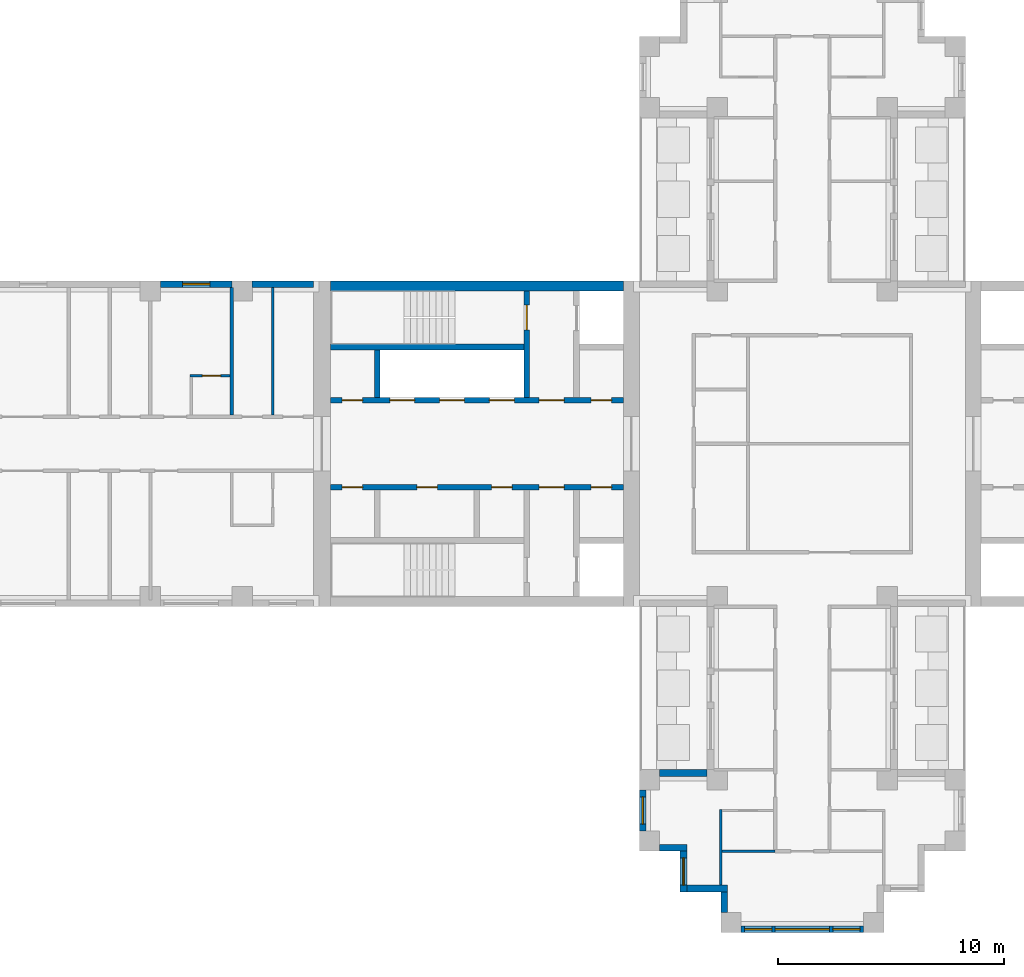
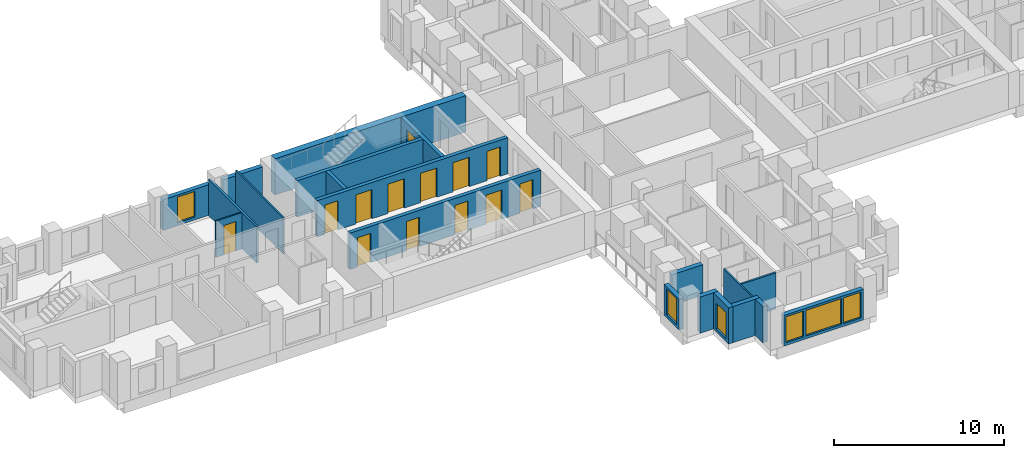
# One storey, part 4 of 12: 20 walls, 13 doors, 6 windows, 19 openings.
"""IFC4 building model written with IfcOpenShell, lengths in metres."""

import ifcopenshell
import ifcopenshell.guid

model = None  # the IFC model being written
_history = None  # IfcOwnerHistory: only IFC2X3 demands one
_inside = {}  # id of a spatial element -> (the spatial element, [elements in it])
_under = {}  # id of a project, library or spatial element -> (it, [spatial elements below it])
_declared = {}  # id of a project -> (the project, [libraries it declares])
_typed = {}  # id of a type object -> (the type object, [elements of that type])
_made_of = {}  # id of a material, layer set ... -> (it, [elements and type objects made of it])


def new_model(schema):
    """Start an empty IFC model of exactly this schema.

    Asked for "IFC4X3", IfcOpenShell would pick the latest addendum, in which some entities
    have other attributes; the version numbers below select the first issue.
    IFC2X3 requires an IfcOwnerHistory on every rooted entity: one is made here for all.
    """
    global model, _history
    if schema == "IFC4X3":
        model = ifcopenshell.file(schema_version=(4, 3, 0, 0))
    else:
        model = ifcopenshell.file(schema=schema)
    _inside.clear()
    _under.clear()
    _declared.clear()
    _typed.clear()
    _made_of.clear()
    _history = None
    if model.schema == "IFC2X3":
        org = make("IfcOrganization", Name="unknown")
        user = make(
            "IfcPersonAndOrganization",
            ThePerson=make("IfcPerson", FamilyName="unknown"),
            TheOrganization=org,
        )
        app = make(
            "IfcApplication",
            ApplicationDeveloper=org,
            Version="unknown",
            ApplicationFullName="unknown",
            ApplicationIdentifier="unknown",
        )
        _history = make(
            "IfcOwnerHistory",
            OwningUser=user,
            OwningApplication=app,
            ChangeAction="ADDED",
            CreationDate=0,
        )
    return model


def make(cls, **values):
    """One entity of the class cls with the attributes given. An attribute that is None is left unset."""
    return model.create_entity(
        cls, **{name: value for name, value in values.items() if value is not None}
    )


def rooted(cls, **values):
    """An entity with a GlobalId (a new one), such as an element, a storey or a relation."""
    return make(cls, GlobalId=ifcopenshell.guid.new(), OwnerHistory=_history, **values)


def si_unit(unit_type, name, prefix=None):
    """IfcSIUnit, for example si_unit("LENGTHUNIT", "METRE", prefix="MILLI")."""
    return make("IfcSIUnit", UnitType=unit_type, Prefix=prefix, Name=name)


def assignment(units):
    """IfcUnitAssignment: the units of a project."""
    return None if units is None else make("IfcUnitAssignment", Units=units)


def point(xyz):
    """IfcCartesianPoint."""
    return None if xyz is None else make("IfcCartesianPoint", Coordinates=xyz)


def direction(xyz):
    """IfcDirection."""
    return None if xyz is None else make("IfcDirection", DirectionRatios=xyz)


def frame(location, z_axis=None, x_axis=None):
    """IfcAxis2Placement3D, a coordinate frame: its origin and axes. An axis left out is left unset."""
    return make(
        "IfcAxis2Placement3D",
        Location=point(location),
        Axis=direction(z_axis),
        RefDirection=direction(x_axis),
    )


def frame_2d(location, x_axis=None):
    """IfcAxis2Placement2D, a coordinate frame in the plane: its origin and x axis."""
    return make(
        "IfcAxis2Placement2D", Location=point(location), RefDirection=direction(x_axis)
    )


def origin():
    """The frame at (0, 0, 0) with its axes left unset."""
    return frame((0.0, 0.0, 0.0))


def place(relative_to, where):
    """IfcLocalPlacement: puts the frame where relative to a parent placement (None: the world)."""
    return make(
        "IfcLocalPlacement", PlacementRelTo=relative_to, RelativePlacement=where
    )


def context(
    kind, dimensions, precision=None, world=None, true_north=None, identifier=None
):
    """IfcGeometricRepresentationContext, for example the 3D "Model" context."""
    return make(
        "IfcGeometricRepresentationContext",
        ContextIdentifier=identifier,
        ContextType=kind,
        CoordinateSpaceDimension=dimensions,
        Precision=precision,
        WorldCoordinateSystem=world,
        TrueNorth=true_north,
    )


def subcontext(parent, identifier, kind, view, scale=None):
    """IfcGeometricRepresentationSubContext, for example "Body" below "Model"."""
    return make(
        "IfcGeometricRepresentationSubContext",
        ContextIdentifier=identifier,
        ContextType=kind,
        ParentContext=parent,
        TargetScale=scale,
        TargetView=view,
    )


def project(units=None, contexts=None):
    """IfcProject with its units and contexts."""
    return rooted(
        "IfcProject",
        Name="project",
        RepresentationContexts=contexts,
        UnitsInContext=assignment(units),
    )


def spatial(cls, under=None, at=None, **own):
    """A site, building, storey or space (cls), placed at a placement, below another one or the project."""
    s = rooted(cls, ObjectPlacement=at, **own)
    if under is not None:
        _under.setdefault(under.id(), (under, []))[1].append(s)
    return s


def profile(cls, at=None, kind="AREA", **sizes):
    """A parametric profile (cls). Its sizes go by their IFC names, for example OverallWidth=200.0."""
    return make(cls, ProfileType=kind, Position=at, **sizes)


def rectangle(**sizes):
    """IfcRectangleProfileDef."""
    return profile("IfcRectangleProfileDef", **sizes)


def extrude(swept, where, along, depth):
    """IfcExtrudedAreaSolid: the profile swept, set in the frame where, extruded along a direction by depth."""
    return make(
        "IfcExtrudedAreaSolid",
        SweptArea=swept,
        Position=where,
        ExtrudedDirection=direction(along),
        Depth=depth,
    )


def shape(context_of_items, identifier, shape_type, items):
    """IfcShapeRepresentation: the items that make up one representation, for example the "Body"."""
    return make(
        "IfcShapeRepresentation",
        ContextOfItems=context_of_items,
        RepresentationIdentifier=identifier,
        RepresentationType=shape_type,
        Items=items,
    )


def material(Name=None, Category=None):
    """IfcMaterial."""
    return make("IfcMaterial", Name=Name, Category=Category)


def layer(
    of_material, thickness, ventilated=None, Name=None, Category=None, Priority=None
):
    """IfcMaterialLayer: one layer of a wall or slab, of a material (None: an air gap)."""
    return make(
        "IfcMaterialLayer",
        Material=of_material,
        LayerThickness=thickness,
        IsVentilated=ventilated,
        Name=Name,
        Category=Category,
        Priority=Priority,
    )


def layer_set(layers, Name=None):
    """IfcMaterialLayerSet."""
    return make("IfcMaterialLayerSet", MaterialLayers=layers, LayerSetName=Name)


def made_of(thing, what):
    """Note that an element or type object is made of a material, layer set ...; save() writes the relation."""
    if what is not None:
        _made_of.setdefault(what.id(), (what, []))[1].append(thing)
    return thing


def type_object(cls, material=None, **own):
    """A type object (cls), such as IfcWallType, which elements share."""
    return made_of(rooted(cls, **own), material)


def element(
    cls,
    number,
    at=None,
    inside=None,
    cuts=None,
    type_object=None,
    material=None,
    context=None,
    identifier="Body",
    shape_type=None,
    held_by="IfcProductDefinitionShape",
    body=None,
    shapes=None,
    **own,
):
    """One element of the class cls, such as IfcWall. Its Tag is "e" and its number.

    at: its placement. inside: the storey or other place that contains it. cuts: it is an
    opening in that element (IfcRelVoidsElement). A single representation is given by context,
    identifier, shape_type and body (its items); several are given by shapes. held_by: the class
    of the entity that holds the representations. save() writes the other relations.
    """
    e = rooted(cls, Tag="e%d" % number, ObjectPlacement=at, **own)
    if body is not None:
        shapes = [shape(context, identifier, shape_type, body)]
    if shapes is not None:
        e.Representation = make(held_by, Representations=shapes)
    if inside is not None:
        _inside.setdefault(inside.id(), (inside, []))[1].append(e)
    if cuts is not None:
        rooted(
            "IfcRelVoidsElement", RelatingBuildingElement=cuts, RelatedOpeningElement=e
        )
    if type_object is not None:
        _typed.setdefault(type_object.id(), (type_object, []))[1].append(e)
    return made_of(e, material)


def fill(opening, filler):
    """IfcRelFillsElement: the door or window that sits in an opening."""
    return rooted(
        "IfcRelFillsElement",
        RelatingOpeningElement=opening,
        RelatedBuildingElement=filler,
    )


def aggregate(whole, parts):
    """IfcRelAggregates: a whole, such as a stair, and the parts it consists of."""
    return rooted("IfcRelAggregates", RelatingObject=whole, RelatedObjects=parts)


def save(model, path):
    """Write the relations noted so far, then the file.

    IfcRelAggregates (storeys below a building ...), IfcRelContainedInSpatialStructure (elements
    in a storey), IfcRelDefinesByType, IfcRelAssociatesMaterial and IfcRelDeclares: one each for
    every whole, place, type object, material and project.
    """
    for whole, parts in _under.values():
        aggregate(whole, parts)
    for where, things in _inside.values():
        rooted(
            "IfcRelContainedInSpatialStructure",
            RelatedElements=things,
            RelatingStructure=where,
        )
    for kind, things in _typed.values():
        rooted("IfcRelDefinesByType", RelatedObjects=things, RelatingType=kind)
    for what, things in _made_of.values():
        rooted("IfcRelAssociatesMaterial", RelatedObjects=things, RelatingMaterial=what)
    for by, libraries in _declared.values():
        rooted("IfcRelDeclares", RelatingContext=by, RelatedDefinitions=libraries)
    model.write(path)


model = new_model("IFC4")

# Units and contexts
model_context = context("Model", 3, precision=1e-05, world=origin(), true_north=direction((0.0, 1.0)))
body_context = subcontext(model_context, "Body", "Model", "MODEL_VIEW")
ifc_project = project(units=[si_unit("LENGTHUNIT", "METRE"), si_unit("AREAUNIT", "SQUARE_METRE"), si_unit("VOLUMEUNIT", "CUBIC_METRE"), si_unit("PLANEANGLEUNIT", "RADIAN"), si_unit("MASSUNIT", "GRAM", prefix="KILO")], contexts=[model_context])

# Site, building, storey
site_placement = place(None, origin())
site = spatial("IfcSite", under=ifc_project, at=site_placement, CompositionType="ELEMENT")
building_placement = place(site_placement, origin())
building = spatial("IfcBuilding", under=site, at=building_placement, Name="Fustian Cross Tower", CompositionType="ELEMENT")
storey_placement = place(building_placement, frame((0.0, 0.0, 150.300048828125)))
storey = spatial("IfcBuildingStorey", under=building, at=storey_placement, Name="L47", CompositionType="ELEMENT", Elevation=150.300048828125)

# Walls
ifc_material_1 = material(Name="Plasterboard on steel stud", Category="steel")
ifc_layer_1 = layer(ifc_material_1, 0.14990234375)
ifc_layer_set_1 = layer_set([ifc_layer_1], Name="Plasterboard on steel stud")
wall_type_1 = type_object("IfcWallType", Name="COMPARTMENT WALL 150 EI 60", PredefinedType="PARTITIONING", material=ifc_layer_set_1)
wall_1_placement = place(storey_placement, frame((-25.199951171875, 1.27490234375, 0.0), z_axis=(0.0, 0.0, 1.0), x_axis=(0.0, 1.0, 0.0)))
element("IfcWall", 1, at=wall_1_placement, inside=storey, type_object=wall_type_1, Name="Partition 13", PredefinedType="PARTITIONING", context=body_context, shape_type="SweptSolid", body=[
    extrude(rectangle(XDim=5.625, YDim=0.14990234375, at=frame_2d((2.8125, 0.0))), origin(), (0.0, 0.0, 1.0), 2.599853515625),
])
ifc_material_2 = material(Name="Concrete C60/75", Category="concrete")
ifc_layer_2 = layer(ifc_material_2, 0.449951171875)
ifc_layer_set_2 = layer_set([ifc_layer_2], Name="Concrete C60/75")
wall_type_2 = type_object("IfcWallType", Name="CORE FACADE WALL 450 C60/75", PredefinedType="SHEAR", material=ifc_layer_set_2)
wall_2_placement = place(storey_placement, frame((-7.89990234375, 6.97509765625, 0.0), z_axis=(0.0, 0.0, 1.0), x_axis=(-1.0, 0.0, 0.0)))
element("IfcWall", 2, at=wall_2_placement, inside=storey, type_object=wall_type_2, Name="Core facade wall", PredefinedType="SHEAR", context=body_context, shape_type="SweptSolid", body=[
    extrude(rectangle(XDim=12.9501953125, YDim=0.449951171875, at=frame_2d((6.47509765625, 0.0))), origin(), (0.0, 0.0, 1.0), 2.599853515625),
])

# Wall, openings, doors
ifc_material_3 = material(Name="Concrete C50/60", Category="concrete")
ifc_layer_3 = layer(ifc_material_3, 0.25)
ifc_layer_set_3 = layer_set([ifc_layer_3], Name="Concrete C50/60")
wall_type_3 = type_object("IfcWallType", Name="CORE LOBBY WALL 250 C50/60", PredefinedType="SHEAR", material=ifc_layer_set_3)
wall_3_placement = place(storey_placement, frame((-7.89990234375, 1.925048828125, 0.0), z_axis=(0.0, 0.0, 1.0), x_axis=(-1.0, 0.0, 0.0)))
wall_3 = element("IfcWall", 3, at=wall_3_placement, inside=storey, type_object=wall_type_3, Name="Core lobby wall", PredefinedType="SHEAR", context=body_context, shape_type="SweptSolid", body=[
    extrude(rectangle(XDim=12.9501953125, YDim=0.25, at=frame_2d((6.47509765625, 0.0))), origin(), (0.0, 0.0, 1.0), 2.599853515625),
])
opening_1_placement = place(wall_3_placement, frame((4.824951171875, 0.0, 0.0)))
opening_1 = element("IfcOpeningElement", 4, at=opening_1_placement, cuts=wall_3, Name="Opening LD", PredefinedType="OPENING", context=body_context, shape_type="SweptSolid", body=[
    extrude(rectangle(XDim=1.10009765625, YDim=2.10009765625, at=frame_2d((0.550048828125, 1.050048828125))), frame((0.0, 0.135009765625, 0.0), z_axis=(0.0, -1.0, 0.0), x_axis=(1.0, 0.0, 0.0)), (0.0, 0.0, 1.0), 0.27001953125),
])
opening_2_placement = place(wall_3_placement, frame((7.02490234375, 0.0, 0.0)))
opening_2 = element("IfcOpeningElement", 5, at=opening_2_placement, cuts=wall_3, Name="Opening LD", PredefinedType="OPENING", context=body_context, shape_type="SweptSolid", body=[
    extrude(rectangle(XDim=1.10009765625, YDim=2.10009765625, at=frame_2d((0.550048828125, 1.050048828125))), frame((0.0, 0.135009765625, 0.0), z_axis=(0.0, -1.0, 0.0), x_axis=(1.0, 0.0, 0.0)), (0.0, 0.0, 1.0), 0.27001953125),
])
opening_3_placement = place(wall_3_placement, frame((9.22509765625, 0.0, 0.0)))
opening_3 = element("IfcOpeningElement", 6, at=opening_3_placement, cuts=wall_3, Name="Opening LD", PredefinedType="OPENING", context=body_context, shape_type="SweptSolid", body=[
    extrude(rectangle(XDim=1.10009765625, YDim=2.10009765625, at=frame_2d((0.550048828125, 1.050048828125))), frame((0.0, 0.135009765625, 0.0), z_axis=(0.0, -1.0, 0.0), x_axis=(1.0, 0.0, 0.0)), (0.0, 0.0, 1.0), 0.27001953125),
])
opening_4_placement = place(wall_3_placement, frame((0.52490234375, 0.0, 0.0)))
opening_4 = element("IfcOpeningElement", 7, at=opening_4_placement, cuts=wall_3, Name="Opening CD-16-25", PredefinedType="OPENING", context=body_context, shape_type="SweptSolid", body=[
    extrude(rectangle(XDim=0.89990234375, YDim=2.10009765625, at=frame_2d((0.449951171875, 1.050048828125))), frame((0.0, 0.135009765625, 0.0), z_axis=(0.0, -1.0, 0.0), x_axis=(1.0, 0.0, 0.0)), (0.0, 0.0, 1.0), 0.27001953125),
])
opening_5_placement = place(wall_3_placement, frame((2.625, 0.0, 0.0)))
opening_5 = element("IfcOpeningElement", 8, at=opening_5_placement, cuts=wall_3, Name="Opening CD-16-27", PredefinedType="OPENING", context=body_context, shape_type="SweptSolid", body=[
    extrude(rectangle(XDim=1.10009765625, YDim=2.10009765625, at=frame_2d((0.550048828125, 1.050048828125))), frame((0.0, 0.135009765625, 0.0), z_axis=(0.0, -1.0, 0.0), x_axis=(1.0, 0.0, 0.0)), (0.0, 0.0, 1.0), 0.27001953125),
])
opening_6_placement = place(wall_3_placement, frame((11.52490234375, 0.0, 0.0)))
opening_6 = element("IfcOpeningElement", 9, at=opening_6_placement, cuts=wall_3, Name="Opening CD-16-31", PredefinedType="OPENING", context=body_context, shape_type="SweptSolid", body=[
    extrude(rectangle(XDim=0.89990234375, YDim=2.10009765625, at=frame_2d((0.449951171875, 1.050048828125))), frame((0.0, 0.135009765625, 0.0), z_axis=(0.0, -1.0, 0.0), x_axis=(1.0, 0.0, 0.0)), (0.0, 0.0, 1.0), 0.27001953125),
])
ifc_material_4 = material(Name="Steel", Category="steel")
door_type_1 = type_object("IfcDoorType", Name="FIRE DOOR FD30S 900X2100", OperationType="SINGLE_SWING_LEFT", PredefinedType="DOOR", material=ifc_material_4)
door_1_placement = place(opening_6_placement, frame((0.89990234375, 0.0, 0.0), z_axis=(0.0, 0.0, 1.0), x_axis=(-1.0, 0.0, 0.0)))
door_1 = element("IfcDoor", 10, at=door_1_placement, inside=storey, type_object=door_type_1, Name="Core door CD-16-31", OperationType="SINGLE_SWING_RIGHT", OverallHeight=2.10009765625, OverallWidth=0.89990234375, PredefinedType="DOOR", context=body_context, shape_type="SweptSolid", body=[
    extrude(rectangle(XDim=0.89990234375, YDim=2.10009765625, at=frame_2d((0.449951171875, 1.050048828125))), frame((0.0, 0.02490234375, 0.0), z_axis=(0.0, -1.0, 0.0), x_axis=(1.0, 0.0, 0.0)), (0.0, 0.0, 1.0), 0.050048828125),
])
fill(opening_6, door_1)
ifc_material_5 = material(Name="Steel", Category="steel")
door_type_2 = type_object("IfcDoorType", Name="FIRE DOOR FD60S 1100X2100", OperationType="SINGLE_SWING_LEFT", PredefinedType="DOOR", material=ifc_material_5)
door_2_placement = place(opening_5_placement, frame((1.10009765625, 0.0, 0.0), z_axis=(0.0, 0.0, 1.0), x_axis=(-1.0, 0.0, 0.0)))
door_2 = element("IfcDoor", 11, at=door_2_placement, inside=storey, type_object=door_type_2, Name="Core door CD-16-27", OperationType="SINGLE_SWING_RIGHT", OverallHeight=2.10009765625, OverallWidth=1.10009765625, PredefinedType="DOOR", context=body_context, shape_type="SweptSolid", body=[
    extrude(rectangle(XDim=1.10009765625, YDim=2.10009765625, at=frame_2d((0.550048828125, 1.050048828125))), frame((0.0, 0.02490234375, 0.0), z_axis=(0.0, -1.0, 0.0), x_axis=(1.0, 0.0, 0.0)), (0.0, 0.0, 1.0), 0.050048828125),
])
fill(opening_5, door_2)
ifc_material_6 = material(Name="Steel", Category="steel")
door_type_3 = type_object("IfcDoorType", Name="FIRE DOOR FD60S 900X2100", OperationType="SINGLE_SWING_LEFT", PredefinedType="DOOR", material=ifc_material_6)
door_3_placement = place(opening_4_placement, frame((0.89990234375, 0.0, 0.0), z_axis=(0.0, 0.0, 1.0), x_axis=(-1.0, 0.0, 0.0)))
door_3 = element("IfcDoor", 12, at=door_3_placement, inside=storey, type_object=door_type_3, Name="Core door CD-16-25", OperationType="SINGLE_SWING_RIGHT", OverallHeight=2.10009765625, OverallWidth=0.89990234375, PredefinedType="DOOR", context=body_context, shape_type="SweptSolid", body=[
    extrude(rectangle(XDim=0.89990234375, YDim=2.10009765625, at=frame_2d((0.449951171875, 1.050048828125))), frame((0.0, 0.02490234375, 0.0), z_axis=(0.0, -1.0, 0.0), x_axis=(1.0, 0.0, 0.0)), (0.0, 0.0, 1.0), 0.050048828125),
])
fill(opening_4, door_3)
ifc_material_7 = material(Name="Stainless steel", Category="steel")
door_type_4 = type_object("IfcDoorType", Name="LIFT LANDING DOOR 1100X2100", OperationType="SLIDING_TO_LEFT", PredefinedType="DOOR", material=ifc_material_7)
door_4_placement = place(opening_1_placement, origin())
door_4 = element("IfcDoor", 13, at=door_4_placement, inside=storey, type_object=door_type_4, Name="Landing door HR1W", OperationType="SLIDING_TO_LEFT", OverallHeight=2.10009765625, OverallWidth=1.10009765625, PredefinedType="DOOR", context=body_context, shape_type="SweptSolid", body=[
    extrude(rectangle(XDim=1.10009765625, YDim=2.10009765625, at=frame_2d((0.550048828125, 1.050048828125))), frame((0.0, 0.02490234375, 0.0), z_axis=(0.0, -1.0, 0.0), x_axis=(1.0, 0.0, 0.0)), (0.0, 0.0, 1.0), 0.050048828125),
])
fill(opening_1, door_4)
door_5_placement = place(opening_2_placement, origin())
door_5 = element("IfcDoor", 14, at=door_5_placement, inside=storey, type_object=door_type_4, Name="Landing door HR2W", OperationType="SLIDING_TO_LEFT", OverallHeight=2.10009765625, OverallWidth=1.10009765625, PredefinedType="DOOR", context=body_context, shape_type="SweptSolid", body=[
    extrude(rectangle(XDim=1.10009765625, YDim=2.10009765625, at=frame_2d((0.550048828125, 1.050048828125))), frame((0.0, 0.02490234375, 0.0), z_axis=(0.0, -1.0, 0.0), x_axis=(1.0, 0.0, 0.0)), (0.0, 0.0, 1.0), 0.050048828125),
])
fill(opening_2, door_5)
door_6_placement = place(opening_3_placement, origin())
door_6 = element("IfcDoor", 15, at=door_6_placement, inside=storey, type_object=door_type_4, Name="Landing door HR3W", OperationType="SLIDING_TO_LEFT", OverallHeight=2.10009765625, OverallWidth=1.10009765625, PredefinedType="DOOR", context=body_context, shape_type="SweptSolid", body=[
    extrude(rectangle(XDim=1.10009765625, YDim=2.10009765625, at=frame_2d((0.550048828125, 1.050048828125))), frame((0.0, 0.02490234375, 0.0), z_axis=(0.0, -1.0, 0.0), x_axis=(1.0, 0.0, 0.0)), (0.0, 0.0, 1.0), 0.050048828125),
])
fill(opening_3, door_6)

wall_4_placement = place(storey_placement, frame((-7.89990234375, -1.925048828125, 0.0), z_axis=(0.0, 0.0, 1.0), x_axis=(-1.0, 0.0, 0.0)))
wall_4 = element("IfcWall", 16, at=wall_4_placement, inside=storey, type_object=wall_type_3, Name="Core lobby wall", PredefinedType="SHEAR", context=body_context, shape_type="SweptSolid", body=[
    extrude(rectangle(XDim=12.9501953125, YDim=0.25, at=frame_2d((6.47509765625, 0.0))), origin(), (0.0, 0.0, 1.0), 2.599853515625),
])
opening_7_placement = place(wall_4_placement, frame((0.52490234375, 0.0, 0.0)))
opening_7 = element("IfcOpeningElement", 17, at=opening_7_placement, cuts=wall_4, Name="Opening CD-16-26", PredefinedType="OPENING", context=body_context, shape_type="SweptSolid", body=[
    extrude(rectangle(XDim=0.89990234375, YDim=2.10009765625, at=frame_2d((0.449951171875, 1.050048828125))), frame((0.0, 0.135009765625, 0.0), z_axis=(0.0, -1.0, 0.0), x_axis=(1.0, 0.0, 0.0)), (0.0, 0.0, 1.0), 0.27001953125),
])
opening_8_placement = place(wall_4_placement, frame((2.625, 0.0, 0.0)))
opening_8 = element("IfcOpeningElement", 18, at=opening_8_placement, cuts=wall_4, Name="Opening CD-16-28", PredefinedType="OPENING", context=body_context, shape_type="SweptSolid", body=[
    extrude(rectangle(XDim=1.10009765625, YDim=2.10009765625, at=frame_2d((0.550048828125, 1.050048828125))), frame((0.0, 0.135009765625, 0.0), z_axis=(0.0, -1.0, 0.0), x_axis=(1.0, 0.0, 0.0)), (0.0, 0.0, 1.0), 0.27001953125),
])
opening_9_placement = place(wall_4_placement, frame((4.925048828125, 0.0, 0.0)))
opening_9 = element("IfcOpeningElement", 19, at=opening_9_placement, cuts=wall_4, Name="Opening CD-16-32", PredefinedType="OPENING", context=body_context, shape_type="SweptSolid", body=[
    extrude(rectangle(XDim=0.89990234375, YDim=2.10009765625, at=frame_2d((0.449951171875, 1.050048828125))), frame((0.0, 0.135009765625, 0.0), z_axis=(0.0, -1.0, 0.0), x_axis=(1.0, 0.0, 0.0)), (0.0, 0.0, 1.0), 0.27001953125),
])
opening_10_placement = place(wall_4_placement, frame((8.22509765625, 0.0, 0.0)))
opening_10 = element("IfcOpeningElement", 20, at=opening_10_placement, cuts=wall_4, Name="Opening CD-16-33", PredefinedType="OPENING", context=body_context, shape_type="SweptSolid", body=[
    extrude(rectangle(XDim=0.89990234375, YDim=2.10009765625, at=frame_2d((0.449951171875, 1.050048828125))), frame((0.0, 0.135009765625, 0.0), z_axis=(0.0, -1.0, 0.0), x_axis=(1.0, 0.0, 0.0)), (0.0, 0.0, 1.0), 0.27001953125),
])
opening_11_placement = place(wall_4_placement, frame((11.52490234375, 0.0, 0.0)))
opening_11 = element("IfcOpeningElement", 21, at=opening_11_placement, cuts=wall_4, Name="Opening CD-16-34", PredefinedType="OPENING", context=body_context, shape_type="SweptSolid", body=[
    extrude(rectangle(XDim=0.89990234375, YDim=2.10009765625, at=frame_2d((0.449951171875, 1.050048828125))), frame((0.0, 0.135009765625, 0.0), z_axis=(0.0, -1.0, 0.0), x_axis=(1.0, 0.0, 0.0)), (0.0, 0.0, 1.0), 0.27001953125),
])
ifc_material_8 = material(Name="Steel", Category="steel")
door_type_5 = type_object("IfcDoorType", Name="FIRE DOOR FD30S 1100X2100", OperationType="SINGLE_SWING_LEFT", PredefinedType="DOOR", material=ifc_material_8)
door_7_placement = place(opening_8_placement, frame((1.10009765625, 0.0, 0.0), z_axis=(0.0, 0.0, 1.0), x_axis=(-1.0, 0.0, 0.0)))
door_7 = element("IfcDoor", 22, at=door_7_placement, inside=storey, type_object=door_type_5, Name="Core door CD-16-28", OperationType="SINGLE_SWING_RIGHT", OverallHeight=2.10009765625, OverallWidth=1.10009765625, PredefinedType="DOOR", context=body_context, shape_type="SweptSolid", body=[
    extrude(rectangle(XDim=1.10009765625, YDim=2.10009765625, at=frame_2d((0.550048828125, 1.050048828125))), frame((0.0, 0.02490234375, 0.0), z_axis=(0.0, -1.0, 0.0), x_axis=(1.0, 0.0, 0.0)), (0.0, 0.0, 1.0), 0.050048828125),
])
fill(opening_8, door_7)
door_8_placement = place(opening_7_placement, origin())
door_8 = element("IfcDoor", 23, at=door_8_placement, inside=storey, type_object=door_type_1, Name="Core door CD-16-26", OperationType="SINGLE_SWING_LEFT", OverallHeight=2.10009765625, OverallWidth=0.89990234375, PredefinedType="DOOR", context=body_context, shape_type="SweptSolid", body=[
    extrude(rectangle(XDim=0.89990234375, YDim=2.10009765625, at=frame_2d((0.449951171875, 1.050048828125))), frame((0.0, 0.02490234375, 0.0), z_axis=(0.0, -1.0, 0.0), x_axis=(1.0, 0.0, 0.0)), (0.0, 0.0, 1.0), 0.050048828125),
])
fill(opening_7, door_8)
door_9_placement = place(opening_9_placement, origin())
door_9 = element("IfcDoor", 24, at=door_9_placement, inside=storey, type_object=door_type_1, Name="Core door CD-16-32", OperationType="SINGLE_SWING_LEFT", OverallHeight=2.10009765625, OverallWidth=0.89990234375, PredefinedType="DOOR", context=body_context, shape_type="SweptSolid", body=[
    extrude(rectangle(XDim=0.89990234375, YDim=2.10009765625, at=frame_2d((0.449951171875, 1.050048828125))), frame((0.0, 0.02490234375, 0.0), z_axis=(0.0, -1.0, 0.0), x_axis=(1.0, 0.0, 0.0)), (0.0, 0.0, 1.0), 0.050048828125),
])
fill(opening_9, door_9)
door_10_placement = place(opening_10_placement, origin())
door_10 = element("IfcDoor", 25, at=door_10_placement, inside=storey, type_object=door_type_1, Name="Core door CD-16-33", OperationType="SINGLE_SWING_RIGHT", OverallHeight=2.10009765625, OverallWidth=0.89990234375, PredefinedType="DOOR", context=body_context, shape_type="SweptSolid", body=[
    extrude(rectangle(XDim=0.89990234375, YDim=2.10009765625, at=frame_2d((0.449951171875, 1.050048828125))), frame((0.0, 0.02490234375, 0.0), z_axis=(0.0, -1.0, 0.0), x_axis=(1.0, 0.0, 0.0)), (0.0, 0.0, 1.0), 0.050048828125),
])
fill(opening_10, door_10)
door_11_placement = place(opening_11_placement, origin())
door_11 = element("IfcDoor", 26, at=door_11_placement, inside=storey, type_object=door_type_1, Name="Core door CD-16-34", OperationType="SINGLE_SWING_LEFT", OverallHeight=2.10009765625, OverallWidth=0.89990234375, PredefinedType="DOOR", context=body_context, shape_type="SweptSolid", body=[
    extrude(rectangle(XDim=0.89990234375, YDim=2.10009765625, at=frame_2d((0.449951171875, 1.050048828125))), frame((0.0, 0.02490234375, 0.0), z_axis=(0.0, -1.0, 0.0), x_axis=(1.0, 0.0, 0.0)), (0.0, 0.0, 1.0), 0.050048828125),
])
fill(opening_11, door_11)

# Wall
ifc_material_9 = material(Name="Concrete C50/60", Category="concrete")
ifc_layer_4 = layer(ifc_material_9, 0.25)
ifc_layer_set_4 = layer_set([ifc_layer_4], Name="Concrete C50/60")
wall_type_4 = type_object("IfcWallType", Name="CORE SHAFT WALL 250 C50/60", PredefinedType="SHEAR", material=ifc_layer_set_4)
wall_5_placement = place(storey_placement, frame((-12.300048828125, 4.27490234375, 0.0), z_axis=(0.0, 0.0, 1.0), x_axis=(-1.0, 0.0, 0.0)))
element("IfcWall", 27, at=wall_5_placement, inside=storey, type_object=wall_type_4, Name="Core shaft wall", PredefinedType="SHEAR", context=body_context, shape_type="SweptSolid", body=[
    extrude(rectangle(XDim=8.550048828125, YDim=0.25, at=frame_2d((4.27490234375, 0.0))), origin(), (0.0, 0.0, 1.0), 2.599853515625),
])

# Wall, opening, door
wall_6_placement = place(storey_placement, frame((-12.175048828125, 2.050048828125, 0.0), z_axis=(0.0, 0.0, 1.0), x_axis=(0.0, 1.0, 0.0)))
wall_6 = element("IfcWall", 28, at=wall_6_placement, inside=storey, type_object=wall_type_4, Name="Core shaft wall", PredefinedType="SHEAR", context=body_context, shape_type="SweptSolid", body=[
    extrude(rectangle(XDim=4.699951171875, YDim=0.25, at=frame_2d((2.35009765625, 0.0))), origin(), (0.0, 0.0, 1.0), 2.599853515625),
])
opening_12_placement = place(wall_6_placement, frame((2.97509765625, 0.0, 0.0)))
opening_12 = element("IfcOpeningElement", 29, at=opening_12_placement, cuts=wall_6, Name="Opening CD-16-23", PredefinedType="OPENING", context=body_context, shape_type="SweptSolid", body=[
    extrude(rectangle(XDim=1.10009765625, YDim=2.10009765625, at=frame_2d((0.550048828125, 1.050048828125))), frame((0.0, 0.135009765625, 0.0), z_axis=(0.0, -1.0, 0.0), x_axis=(1.0, 0.0, 0.0)), (0.0, 0.0, 1.0), 0.27001953125),
])
door_12_placement = place(opening_12_placement, origin())
door_12 = element("IfcDoor", 30, at=door_12_placement, inside=storey, type_object=door_type_2, Name="Core door CD-16-23", OperationType="SINGLE_SWING_LEFT", OverallHeight=2.10009765625, OverallWidth=1.10009765625, PredefinedType="DOOR", context=body_context, shape_type="SweptSolid", body=[
    extrude(rectangle(XDim=1.10009765625, YDim=2.10009765625, at=frame_2d((0.550048828125, 1.050048828125))), frame((0.0, 0.02490234375, 0.0), z_axis=(0.0, -1.0, 0.0), x_axis=(1.0, 0.0, 0.0)), (0.0, 0.0, 1.0), 0.050048828125),
])
fill(opening_12, door_12)

ifc_material_10 = material(Name="Plasterboard on steel stud", Category="steel")
ifc_layer_5 = layer(ifc_material_10, 0.10009765625)
ifc_layer_set_5 = layer_set([ifc_layer_5], Name="Plasterboard on steel stud")
wall_type_5 = type_object("IfcWallType", Name="PARTITION 100 STUD", PredefinedType="PARTITIONING", material=ifc_layer_set_5)
wall_7_placement = place(storey_placement, frame((-27.050048828125, 3.0, 0.0), z_axis=(0.0, 0.0, 1.0), x_axis=(1.0, 0.0, 0.0)))
wall_7 = element("IfcWall", 31, at=wall_7_placement, inside=storey, type_object=wall_type_5, Name="Partition 10", PredefinedType="PARTITIONING", context=body_context, shape_type="SweptSolid", body=[
    extrude(rectangle(XDim=1.775146484375, YDim=0.10009765625, at=frame_2d((0.8876953125, 0.0))), origin(), (0.0, 0.0, 1.0), 2.599853515625),
])
opening_13_placement = place(wall_7_placement, frame((0.550048828125, 0.0, 0.0)))
opening_13 = element("IfcOpeningElement", 32, at=opening_13_placement, cuts=wall_7, Name="Opening D21033", PredefinedType="OPENING", context=body_context, shape_type="SweptSolid", body=[
    extrude(rectangle(XDim=0.800048828125, YDim=2.10009765625, at=frame_2d((0.39990234375, 1.050048828125))), frame((0.0, 0.06005859375, 0.0), z_axis=(0.0, -1.0, 0.0), x_axis=(1.0, 0.0, 0.0)), (0.0, 0.0, 1.0), 0.1201171875),
])
ifc_material_11 = material(Name="Painted timber", Category="wood")
door_type_6 = type_object("IfcDoorType", Name="SWING DOOR 800", OperationType="SINGLE_SWING_LEFT", PredefinedType="DOOR", material=ifc_material_11)
door_13_placement = place(opening_13_placement, frame((0.800048828125, 0.0, 0.0), z_axis=(0.0, 0.0, 1.0), x_axis=(-1.0, 0.0, 0.0)))
door_13 = element("IfcDoor", 33, at=door_13_placement, inside=storey, type_object=door_type_6, Name="Door D21033", OperationType="SINGLE_SWING_LEFT", OverallHeight=2.10009765625, OverallWidth=0.800048828125, PredefinedType="DOOR", context=body_context, shape_type="SweptSolid", body=[
    extrude(rectangle(XDim=0.800048828125, YDim=2.10009765625, at=frame_2d((0.39990234375, 1.050048828125))), frame((0.0, 0.02490234375, 0.0), z_axis=(0.0, -1.0, 0.0), x_axis=(1.0, 0.0, 0.0)), (0.0, 0.0, 1.0), 0.050048828125),
])
fill(opening_13, door_13)

# Walls
wall_8_placement = place(storey_placement, frame((-23.39990234375, 1.27490234375, 0.0), z_axis=(0.0, 0.0, 1.0), x_axis=(0.0, 1.0, 0.0)))
element("IfcWall", 34, at=wall_8_placement, inside=storey, type_object=wall_type_5, Name="Partition 15", PredefinedType="PARTITIONING", context=body_context, shape_type="SweptSolid", body=[
    extrude(rectangle(XDim=5.625, YDim=0.10009765625, at=frame_2d((2.8125, 0.0))), origin(), (0.0, 0.0, 1.0), 2.599853515625),
])
wall_9_placement = place(storey_placement, frame((-3.60009765625, -19.5, 0.0), z_axis=(0.0, 0.0, 1.0), x_axis=(0.0, 1.0, 0.0)))
element("IfcWall", 35, at=wall_9_placement, inside=storey, type_object=wall_type_5, Name="Partition 27", PredefinedType="PARTITIONING", context=body_context, shape_type="SweptSolid", body=[
    extrude(rectangle(XDim=3.35009765625, YDim=0.10009765625, at=frame_2d((1.675048828125, 0.0))), origin(), (0.0, 0.0, 1.0), 2.599853515625),
])
ifc_material_12 = material(Name="Concrete C40/50", Category="concrete")
ifc_layer_6 = layer(ifc_material_12, 0.25)
ifc_layer_set_6 = layer_set([ifc_layer_6], Name="Concrete C40/50")
wall_type_6 = type_object("IfcWallType", Name="SHAFT PARTITION WALL 250 C40/50", PredefinedType="PARTITIONING", material=ifc_layer_set_6)
wall_10_placement = place(storey_placement, frame((-18.77490234375, 2.050048828125, 0.0), z_axis=(0.0, 0.0, 1.0), x_axis=(0.0, 1.0, 0.0)))
element("IfcWall", 36, at=wall_10_placement, inside=storey, type_object=wall_type_6, Name="Core shaft wall", PredefinedType="PARTITIONING", context=body_context, shape_type="SweptSolid", body=[
    extrude(rectangle(XDim=2.099853515625, YDim=0.25, at=frame_2d((1.0498046875, 0.0))), origin(), (0.0, 0.0, 1.0), 2.599853515625),
])
ifc_material_13 = material(Name="Plasterboard on steel stud", Category="steel")
ifc_layer_7 = layer(ifc_material_13, 0.125)
ifc_layer_set_7 = layer_set([ifc_layer_7], Name="Plasterboard on steel stud")
wall_type_7 = type_object("IfcWallType", Name="WET WALL 125 STUD", PredefinedType="PARTITIONING", material=ifc_layer_set_7)
wall_11_placement = place(storey_placement, frame((-3.550048828125, -18.0, 0.0), z_axis=(0.0, 0.0, 1.0), x_axis=(1.0, 0.0, 0.0)))
element("IfcWall", 37, at=wall_11_placement, inside=storey, type_object=wall_type_7, Name="Partition 28", PredefinedType="PARTITIONING", context=body_context, shape_type="SweptSolid", body=[
    extrude(rectangle(XDim=2.35009765625, YDim=0.125, at=frame_2d((1.175048828125, 0.0))), origin(), (0.0, 0.0, 1.0), 2.599853515625),
])
ifc_material_14 = material(Name="Dark aluminium cladding on insulated backing wall", Category="aluminium")
ifc_layer_8 = layer(ifc_material_14, 0.300048828125)
ifc_layer_set_8 = layer_set([ifc_layer_8], Name="Dark aluminium cladding on insulated backing wall")
wall_type_8 = type_object("IfcWallType", Name="XW1 EXTERNAL WALL 300", PredefinedType="SOLIDWALL", material=ifc_layer_set_8)
wall_12_placement = place(storey_placement, frame((-21.60009765625, 7.050048828125, 0.0), z_axis=(0.0, 0.0, 1.0), x_axis=(-1.0, 0.0, 0.0)))
element("IfcWall", 38, at=wall_12_placement, inside=storey, type_object=wall_type_8, Name="External wall", PredefinedType="SOLIDWALL", context=body_context, shape_type="SweptSolid", body=[
    extrude(rectangle(XDim=2.699951171875, YDim=0.300048828125, at=frame_2d((1.35009765625, 0.0))), origin(), (0.0, 0.0, 1.0), 2.199951171875),
])

# Wall, opening, window
wall_13_placement = place(storey_placement, frame((-25.199951171875, 7.050048828125, 0.0), z_axis=(0.0, 0.0, 1.0), x_axis=(-1.0, 0.0, 0.0)))
wall_13 = element("IfcWall", 39, at=wall_13_placement, inside=storey, type_object=wall_type_8, Name="External wall", PredefinedType="SOLIDWALL", context=body_context, shape_type="SweptSolid", body=[
    extrude(rectangle(XDim=3.150146484375, YDim=0.300048828125, at=frame_2d((1.5751953125, 0.0))), origin(), (0.0, 0.0, 1.0), 2.199951171875),
])
opening_14_placement = place(wall_13_placement, frame((0.97509765625, 0.0, 0.199951171875)))
opening_14 = element("IfcOpeningElement", 40, at=opening_14_placement, cuts=wall_13, Name="Opening WN3", PredefinedType="OPENING", context=body_context, shape_type="SweptSolid", body=[
    extrude(rectangle(XDim=1.199951171875, YDim=1.85009765625, at=frame_2d((0.60009765625, 0.925048828125))), frame((0.0, 0.159912109375, 0.0), z_axis=(0.0, -1.0, 0.0), x_axis=(1.0, 0.0, 0.0)), (0.0, 0.0, 1.0), 0.320068359375),
])
ifc_material_15 = material(Name="Dark anodised aluminium and double glazing", Category="aluminium")
window_type_1 = type_object("IfcWindowType", Name="WN3 WINDOW 1200X1850", PartitioningType="SINGLE_PANEL", PredefinedType="WINDOW", material=ifc_material_15)
window_1_placement = place(opening_14_placement, origin())
window_1 = element("IfcWindow", 41, at=window_1_placement, inside=storey, type_object=window_type_1, Name="Window", OverallHeight=1.85009765625, OverallWidth=1.199951171875, PartitioningType="SINGLE_PANEL", PredefinedType="WINDOW", context=body_context, shape_type="SweptSolid", body=[
    extrude(rectangle(XDim=1.199951171875, YDim=1.85009765625, at=frame_2d((0.60009765625, 0.925048828125))), frame((0.0, 0.030029296875, 0.0), z_axis=(0.0, -1.0, 0.0), x_axis=(1.0, 0.0, 0.0)), (0.0, 0.0, 1.0), 0.06005859375),
])
fill(opening_14, window_1)

# Wall
wall_14_placement = place(storey_placement, frame((-4.199951171875, -14.550048828125, 0.0), z_axis=(0.0, 0.0, 1.0), x_axis=(-1.0, 0.0, 0.0)))
element("IfcWall", 42, at=wall_14_placement, inside=storey, type_object=wall_type_8, Name="External wall", PredefinedType="SOLIDWALL", context=body_context, shape_type="SweptSolid", body=[
    extrude(rectangle(XDim=2.10009765625, YDim=0.300048828125, at=frame_2d((1.050048828125, 0.0))), origin(), (0.0, 0.0, 1.0), 2.199951171875),
])

# Wall, opening, window
wall_15_placement = place(storey_placement, frame((-7.050048828125, -15.300048828125, 0.0), z_axis=(0.0, 0.0, 1.0), x_axis=(0.0, -1.0, 0.0)))
wall_15 = element("IfcWall", 43, at=wall_15_placement, inside=storey, type_object=wall_type_8, Name="External wall", PredefinedType="SOLIDWALL", context=body_context, shape_type="SweptSolid", body=[
    extrude(rectangle(XDim=1.800048828125, YDim=0.300048828125, at=frame_2d((0.89990234375, 0.0))), origin(), (0.0, 0.0, 1.0), 2.199951171875),
])
opening_15_placement = place(wall_15_placement, frame((0.300048828125, 0.0, 0.199951171875)))
opening_15 = element("IfcOpeningElement", 44, at=opening_15_placement, cuts=wall_15, Name="Opening WN3", PredefinedType="OPENING", context=body_context, shape_type="SweptSolid", body=[
    extrude(rectangle(XDim=1.199951171875, YDim=1.85009765625, at=frame_2d((0.60009765625, 0.925048828125))), frame((0.0, 0.159912109375, 0.0), z_axis=(0.0, -1.0, 0.0), x_axis=(1.0, 0.0, 0.0)), (0.0, 0.0, 1.0), 0.320068359375),
])
window_2_placement = place(opening_15_placement, origin())
window_2 = element("IfcWindow", 45, at=window_2_placement, inside=storey, type_object=window_type_1, Name="Window", OverallHeight=1.85009765625, OverallWidth=1.199951171875, PartitioningType="SINGLE_PANEL", PredefinedType="WINDOW", context=body_context, shape_type="SweptSolid", body=[
    extrude(rectangle(XDim=1.199951171875, YDim=1.85009765625, at=frame_2d((0.60009765625, 0.925048828125))), frame((0.0, 0.030029296875, 0.0), z_axis=(0.0, -1.0, 0.0), x_axis=(1.0, 0.0, 0.0)), (0.0, 0.0, 1.0), 0.06005859375),
])
fill(opening_15, window_2)

# Wall
wall_16_placement = place(storey_placement, frame((-6.300048828125, -17.85009765625, 0.0), z_axis=(0.0, 0.0, 1.0), x_axis=(1.0, 0.0, 0.0)))
element("IfcWall", 46, at=wall_16_placement, inside=storey, type_object=wall_type_8, Name="External wall", PredefinedType="SOLIDWALL", context=body_context, shape_type="SweptSolid", body=[
    extrude(rectangle(XDim=1.199951171875, YDim=0.300048828125, at=frame_2d((0.60009765625, 0.0))), origin(), (0.0, 0.0, 1.0), 2.599853515625),
])

# Wall, opening, window
wall_17_placement = place(storey_placement, frame((-5.25, -18.0, 0.0), z_axis=(0.0, 0.0, 1.0), x_axis=(0.0, -1.0, 0.0)))
wall_17 = element("IfcWall", 47, at=wall_17_placement, inside=storey, type_object=wall_type_8, Name="External wall", PredefinedType="SOLIDWALL", context=body_context, shape_type="SweptSolid", body=[
    extrude(rectangle(XDim=1.800048828125, YDim=0.300048828125, at=frame_2d((0.89990234375, 0.0))), origin(), (0.0, 0.0, 1.0), 2.599853515625),
])
opening_16_placement = place(wall_17_placement, frame((0.300048828125, 0.0, 0.199951171875)))
opening_16 = element("IfcOpeningElement", 48, at=opening_16_placement, cuts=wall_17, Name="Opening WN3", PredefinedType="OPENING", context=body_context, shape_type="SweptSolid", body=[
    extrude(rectangle(XDim=1.199951171875, YDim=1.85009765625, at=frame_2d((0.60009765625, 0.925048828125))), frame((0.0, 0.159912109375, 0.0), z_axis=(0.0, -1.0, 0.0), x_axis=(1.0, 0.0, 0.0)), (0.0, 0.0, 1.0), 0.320068359375),
])
window_3_placement = place(opening_16_placement, origin())
window_3 = element("IfcWindow", 49, at=window_3_placement, inside=storey, type_object=window_type_1, Name="Window", OverallHeight=1.85009765625, OverallWidth=1.199951171875, PartitioningType="SINGLE_PANEL", PredefinedType="WINDOW", context=body_context, shape_type="SweptSolid", body=[
    extrude(rectangle(XDim=1.199951171875, YDim=1.85009765625, at=frame_2d((0.60009765625, 0.925048828125))), frame((0.0, 0.030029296875, 0.0), z_axis=(0.0, -1.0, 0.0), x_axis=(1.0, 0.0, 0.0)), (0.0, 0.0, 1.0), 0.06005859375),
])
fill(opening_16, window_3)

# Walls
wall_18_placement = place(storey_placement, frame((-5.10009765625, -19.64990234375, 0.0), z_axis=(0.0, 0.0, 1.0), x_axis=(1.0, 0.0, 0.0)))
element("IfcWall", 50, at=wall_18_placement, inside=storey, type_object=wall_type_8, Name="External wall", PredefinedType="SOLIDWALL", context=body_context, shape_type="SweptSolid", body=[
    extrude(rectangle(XDim=1.800048828125, YDim=0.300048828125, at=frame_2d((0.89990234375, 0.0))), origin(), (0.0, 0.0, 1.0), 2.599853515625),
])
wall_19_placement = place(storey_placement, frame((-3.449951171875, -19.800048828125, 0.0), z_axis=(0.0, 0.0, 1.0), x_axis=(0.0, -1.0, 0.0)))
element("IfcWall", 51, at=wall_19_placement, inside=storey, type_object=wall_type_8, Name="External wall", PredefinedType="SOLIDWALL", context=body_context, shape_type="SweptSolid", body=[
    extrude(rectangle(XDim=0.89990234375, YDim=0.300048828125, at=frame_2d((0.449951171875, 0.0))), origin(), (0.0, 0.0, 1.0), 2.599853515625),
])

# Wall, openings, windows
wall_20_placement = place(storey_placement, frame((-2.699951171875, -21.449951171875, 0.0), z_axis=(0.0, 0.0, 1.0), x_axis=(1.0, 0.0, 0.0)))
wall_20 = element("IfcWall", 52, at=wall_20_placement, inside=storey, type_object=wall_type_8, Name="External wall", PredefinedType="SOLIDWALL", context=body_context, shape_type="SweptSolid", body=[
    extrude(rectangle(XDim=5.39990234375, YDim=0.300048828125, at=frame_2d((2.699951171875, 0.0))), origin(), (0.0, 0.0, 1.0), 2.199951171875),
])
opening_17_placement = place(wall_20_placement, frame((1.5, 0.0, 0.199951171875)))
opening_17 = element("IfcOpeningElement", 53, at=opening_17_placement, cuts=wall_20, Name="Opening WN1", PredefinedType="OPENING", context=body_context, shape_type="SweptSolid", body=[
    extrude(rectangle(XDim=2.39990234375, YDim=1.85009765625, at=frame_2d((1.199951171875, 0.925048828125))), frame((0.0, 0.159912109375, 0.0), z_axis=(0.0, -1.0, 0.0), x_axis=(1.0, 0.0, 0.0)), (0.0, 0.0, 1.0), 0.320068359375),
])
opening_18_placement = place(wall_20_placement, frame((0.14990234375, 0.0, 0.199951171875)))
opening_18 = element("IfcOpeningElement", 54, at=opening_18_placement, cuts=wall_20, Name="Opening WN3", PredefinedType="OPENING", context=body_context, shape_type="SweptSolid", body=[
    extrude(rectangle(XDim=1.199951171875, YDim=1.85009765625, at=frame_2d((0.60009765625, 0.925048828125))), frame((0.0, 0.159912109375, 0.0), z_axis=(0.0, -1.0, 0.0), x_axis=(1.0, 0.0, 0.0)), (0.0, 0.0, 1.0), 0.320068359375),
])
opening_19_placement = place(wall_20_placement, frame((4.050048828125, 0.0, 0.199951171875)))
opening_19 = element("IfcOpeningElement", 55, at=opening_19_placement, cuts=wall_20, Name="Opening WN3", PredefinedType="OPENING", context=body_context, shape_type="SweptSolid", body=[
    extrude(rectangle(XDim=1.199951171875, YDim=1.85009765625, at=frame_2d((0.60009765625, 0.925048828125))), frame((0.0, 0.159912109375, 0.0), z_axis=(0.0, -1.0, 0.0), x_axis=(1.0, 0.0, 0.0)), (0.0, 0.0, 1.0), 0.320068359375),
])
ifc_material_16 = material(Name="Dark anodised aluminium and double glazing", Category="aluminium")
window_type_2 = type_object("IfcWindowType", Name="WN1 WINDOW 2400X1850", PartitioningType="SINGLE_PANEL", PredefinedType="WINDOW", material=ifc_material_16)
window_4_placement = place(opening_17_placement, origin())
window_4 = element("IfcWindow", 56, at=window_4_placement, inside=storey, type_object=window_type_2, Name="Window", OverallHeight=1.85009765625, OverallWidth=2.39990234375, PartitioningType="SINGLE_PANEL", PredefinedType="WINDOW", context=body_context, shape_type="SweptSolid", body=[
    extrude(rectangle(XDim=2.39990234375, YDim=1.85009765625, at=frame_2d((1.199951171875, 0.925048828125))), frame((0.0, 0.030029296875, 0.0), z_axis=(0.0, -1.0, 0.0), x_axis=(1.0, 0.0, 0.0)), (0.0, 0.0, 1.0), 0.06005859375),
])
fill(opening_17, window_4)
window_5_placement = place(opening_18_placement, origin())
window_5 = element("IfcWindow", 57, at=window_5_placement, inside=storey, type_object=window_type_1, Name="Window", OverallHeight=1.85009765625, OverallWidth=1.199951171875, PartitioningType="SINGLE_PANEL", PredefinedType="WINDOW", context=body_context, shape_type="SweptSolid", body=[
    extrude(rectangle(XDim=1.199951171875, YDim=1.85009765625, at=frame_2d((0.60009765625, 0.925048828125))), frame((0.0, 0.030029296875, 0.0), z_axis=(0.0, -1.0, 0.0), x_axis=(1.0, 0.0, 0.0)), (0.0, 0.0, 1.0), 0.06005859375),
])
fill(opening_18, window_5)
window_6_placement = place(opening_19_placement, origin())
window_6 = element("IfcWindow", 58, at=window_6_placement, inside=storey, type_object=window_type_1, Name="Window", OverallHeight=1.85009765625, OverallWidth=1.199951171875, PartitioningType="SINGLE_PANEL", PredefinedType="WINDOW", context=body_context, shape_type="SweptSolid", body=[
    extrude(rectangle(XDim=1.199951171875, YDim=1.85009765625, at=frame_2d((0.60009765625, 0.925048828125))), frame((0.0, 0.030029296875, 0.0), z_axis=(0.0, -1.0, 0.0), x_axis=(1.0, 0.0, 0.0)), (0.0, 0.0, 1.0), 0.06005859375),
])
fill(opening_19, window_6)

save(model, "model.ifc")
